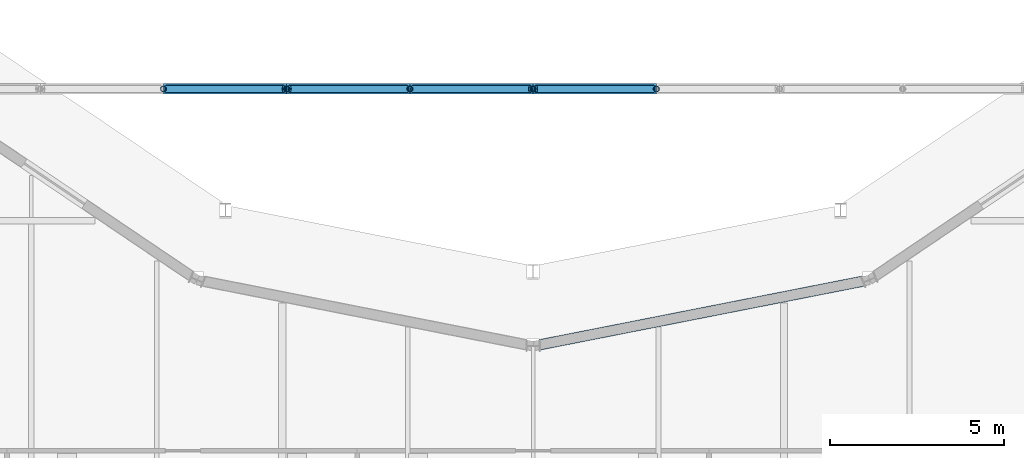
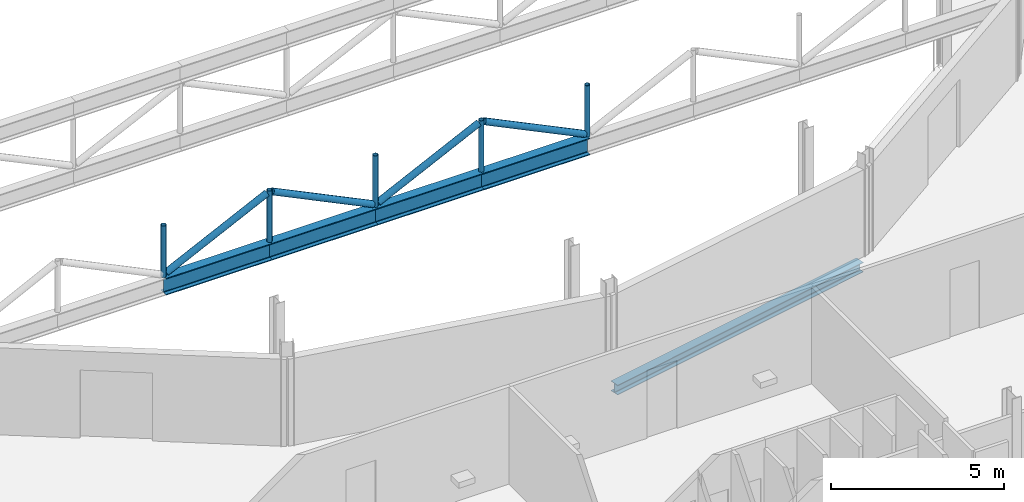
# One storey, part 38 of 143: 13 members, 1 beam.
"""IFC4 building model written with IfcOpenShell, lengths in metres."""

from ifc_helpers import new_model, si_unit, direction, frame, origin, origin_2d, place, context, subcontext, project, spatial, hollow_circle, i_section, extrude, material, material_profile, profile_set, type_object, element, save


model = new_model("IFC4")

# Units and contexts
model_context = context("Model", 3, precision=1e-05, world=origin(), true_north=direction((0.0, 1.0)))
body_context = subcontext(model_context, "Body", "Model", "MODEL_VIEW")
ifc_project = project(units=[si_unit("LENGTHUNIT", "METRE"), si_unit("AREAUNIT", "SQUARE_METRE"), si_unit("VOLUMEUNIT", "CUBIC_METRE"), si_unit("PLANEANGLEUNIT", "RADIAN"), si_unit("MASSUNIT", "GRAM", prefix="KILO")], contexts=[model_context])

# Site, building, storey
site_placement = place(None, origin())
site = spatial("IfcSite", under=ifc_project, at=site_placement, CompositionType="ELEMENT")
building_placement = place(site_placement, origin())
building = spatial("IfcBuilding", under=site, at=building_placement, Name="Kupolbacken Congress Centre", CompositionType="ELEMENT")
storey_placement = place(building_placement, frame((0.0, 0.0, 7.199951171875)))
storey = spatial("IfcBuildingStorey", under=building, at=storey_placement, Name="L02", CompositionType="ELEMENT", Elevation=7.199951171875)

# Beam
ifc_material_1 = material(Name="Steel S355", Category="steel")
ifc_material_profile_1 = material_profile(ifc_material_1, i_section(OverallWidth=0.300048828125, OverallDepth=0.35009765625, WebThickness=0.010009765625, FlangeThickness=0.017578125, FilletRadius=0.027099609375, at=origin_2d()), Name="HEA 360")
ifc_profile_set_1 = profile_set([ifc_material_profile_1], Name="Steel S355")
beam_type = type_object("IfcBeamType", Name="B13 beam HEA 360", PredefinedType="BEAM", material=ifc_profile_set_1)
beam_placement = place(storey_placement, frame((43.39990234375, 61.2392578125, -0.35498046875), z_axis=(0.981161959896, 0.193186977957, 0.0), x_axis=(-0.193186977957, 0.981161959896, 0.0)))
element("IfcBeam", 1, at=beam_placement, inside=storey, type_object=beam_type, Name="S/floor/P/L02/C013", PredefinedType="BEAM", context=body_context, shape_type="SweptSolid", body=[
    extrude(i_section(OverallWidth=0.300048828125, OverallDepth=0.35009765625, WebThickness=0.010009765625, FlangeThickness=0.017578125, FilletRadius=0.027099609375, at=origin_2d()), origin(), (0.0, 0.0, 1.0), 9.427490234375),
])

# Members
ifc_material_2 = material(Name="Steel S355", Category="steel")
ifc_material_profile_2 = material_profile(ifc_material_2, i_section(OverallWidth=0.300048828125, OverallDepth=0.60009765625, WebThickness=0.015380859375, FlangeThickness=0.030029296875, FilletRadius=0.027099609375, at=origin_2d()), Name="HEB 600")
ifc_profile_set_2 = profile_set([ifc_material_profile_2], Name="Steel S355")
member_type_1 = type_object("IfcMemberType", Name="M02 transfer truss chord HEB 600", PredefinedType="CHORD", material=ifc_profile_set_2)
member_1_placement = place(storey_placement, frame((32.592529296875, 68.580810546875, 2.634033203125), z_axis=(1.0, 0.0, 0.0), x_axis=(0.0, 1.0, 0.0)))
element("IfcMember", 2, at=member_1_placement, inside=storey, type_object=member_type_1, Name="PD/L02/balc/trussR/BC03", PredefinedType="CHORD", context=body_context, shape_type="SweptSolid", body=[
    extrude(i_section(OverallWidth=0.300048828125, OverallDepth=0.60009765625, WebThickness=0.015380859375, FlangeThickness=0.030029296875, FilletRadius=0.027099609375, at=origin_2d()), origin(), (0.0, 0.0, 1.0), 3.535888671875),
])
member_2_placement = place(storey_placement, frame((36.12841796875, 68.580810546875, 2.634033203125), z_axis=(1.0, 0.0, 0.0), x_axis=(0.0, 1.0, 0.0)))
element("IfcMember", 3, at=member_2_placement, inside=storey, type_object=member_type_1, Name="PD/L02/balc/trussR/BC04", PredefinedType="CHORD", context=body_context, shape_type="SweptSolid", body=[
    extrude(i_section(OverallWidth=0.300048828125, OverallDepth=0.60009765625, WebThickness=0.015380859375, FlangeThickness=0.030029296875, FilletRadius=0.027099609375, at=origin_2d()), origin(), (0.0, 0.0, 1.0), 3.53564453125),
])
for number, where, z_axis, x_axis, name in (
    (4, (39.6640625, 68.580810546875, 2.634033203125), (1.0, 0.0, 0.0), (0.0, 1.0, 0.0), "PD/L02/balc/trussR/BC05"),
    (5, (43.199951171875, 68.580810546875, 2.634033203125), (1.0, 0.0, 0.0), (0.0, 1.0, 0.0), "PD/L02/balc/trussR/BC06"),
):
    element("IfcMember", number, at=place(storey_placement, frame(where, z_axis=z_axis, x_axis=x_axis)), inside=storey, type_object=member_type_1, Name=name, PredefinedType="CHORD", context=body_context, shape_type="SweptSolid", body=[
        extrude(i_section(OverallWidth=0.300048828125, OverallDepth=0.60009765625, WebThickness=0.015380859375, FlangeThickness=0.030029296875, FilletRadius=0.027099609375, at=origin_2d()), origin(), (0.0, 0.0, 1.0), 3.535888671875),
    ])
ifc_material_3 = material(Name="Steel S355", Category="steel")
ifc_material_profile_3 = material_profile(ifc_material_3, hollow_circle(Radius=0.109619140625, WallThickness=0.010009765625, at=origin_2d()), Name="CHS 219.1 x 10")
ifc_profile_set_3 = profile_set([ifc_material_profile_3], Name="Steel S355")
member_type_2 = type_object("IfcMemberType", Name="M05 transfer truss web CHS 219.1 x 10", PredefinedType="BRACE", material=ifc_profile_set_3)
member_3_placement = place(storey_placement, frame((32.6767578125, 68.580810546875, 3.020751953125), z_axis=(0.900441439307, 0.0, 0.434977257312), x_axis=(0.0, 1.0, 0.0)))
element("IfcMember", 6, at=member_3_placement, inside=storey, type_object=member_type_2, Name="PD/L02/balc/trussR/D03", PredefinedType="BRACE", context=body_context, shape_type="SweptSolid", body=[
    extrude(hollow_circle(Radius=0.109619140625, WallThickness=0.010009765625, at=origin_2d()), origin(), (0.0, 0.0, 1.0), 3.73974609375),
])
for number, where, z_axis, x_axis, name in (
    (7, (36.21240234375, 68.580810546875, 4.6474609375), (0.900453790006, 0.0, -0.434951689344), (0.0, 1.0, 0.0), "PD/L02/balc/trussR/D04"),
    (8, (39.748291015625, 68.580810546875, 3.020751953125), (0.900453790006, 0.0, 0.434951689344), (0.0, 1.0, 0.0), "PD/L02/balc/trussR/D05"),
):
    element("IfcMember", number, at=place(storey_placement, frame(where, z_axis=z_axis, x_axis=x_axis)), inside=storey, type_object=member_type_2, Name=name, PredefinedType="BRACE", context=body_context, shape_type="SweptSolid", body=[
        extrude(hollow_circle(Radius=0.109619140625, WallThickness=0.010009765625, at=origin_2d()), origin(), (0.0, 0.0, 1.0), 3.739990234375),
    ])
member_4_placement = place(storey_placement, frame((43.2841796875, 68.580810546875, 4.6474609375), z_axis=(0.900441439307, 0.0, -0.434977257312), x_axis=(0.0, 1.0, 0.0)))
element("IfcMember", 9, at=member_4_placement, inside=storey, type_object=member_type_2, Name="PD/L02/balc/trussR/D06", PredefinedType="BRACE", context=body_context, shape_type="SweptSolid", body=[
    extrude(hollow_circle(Radius=0.109619140625, WallThickness=0.010009765625, at=origin_2d()), origin(), (0.0, 0.0, 1.0), 3.73974609375),
])
ifc_material_4 = material(Name="Steel S355", Category="steel")
ifc_material_profile_4 = material_profile(ifc_material_4, hollow_circle(Radius=0.084228515625, WallThickness=0.008056640625, at=origin_2d()), Name="CHS 168.3 x 8")
ifc_profile_set_4 = profile_set([ifc_material_profile_4], Name="Steel S355")
member_type_3 = type_object("IfcMemberType", Name="M20 transfer truss post CHS 168.3 x 8", PredefinedType="STRUT", material=ifc_profile_set_4)
for number, where, z_axis, x_axis, name in (
    (10, (32.592529296875, 68.580810546875, 2.924072265625), (0.0, 0.0, 1.0), (1.0, 0.0, 0.0), "PD/L02/balc/trussR/P02"),
    (11, (36.12841796875, 68.580810546875, 2.924072265625), (0.0, 0.0, 1.0), (1.0, 0.0, 0.0), "PD/L02/balc/trussR/P03"),
    (12, (39.6640625, 68.580810546875, 2.924072265625), (0.0, 0.0, 1.0), (1.0, 0.0, 0.0), "PD/L02/balc/trussR/P04"),
    (13, (43.199951171875, 68.580810546875, 2.924072265625), (0.0, 0.0, 1.0), (1.0, 0.0, 0.0), "PD/L02/balc/trussR/P05"),
    (14, (46.73583984375, 68.580810546875, 2.924072265625), (0.0, 0.0, 1.0), (1.0, 0.0, 0.0), "PD/L02/balc/trussR/P06"),
):
    element("IfcMember", number, at=place(storey_placement, frame(where, z_axis=z_axis, x_axis=x_axis)), inside=storey, type_object=member_type_3, Name=name, PredefinedType="STRUT", context=body_context, shape_type="SweptSolid", body=[
        extrude(hollow_circle(Radius=0.084228515625, WallThickness=0.008056640625, at=origin_2d()), origin(), (0.0, 0.0, 1.0), 1.820068359375),
    ])

save(model, "model.ifc")
